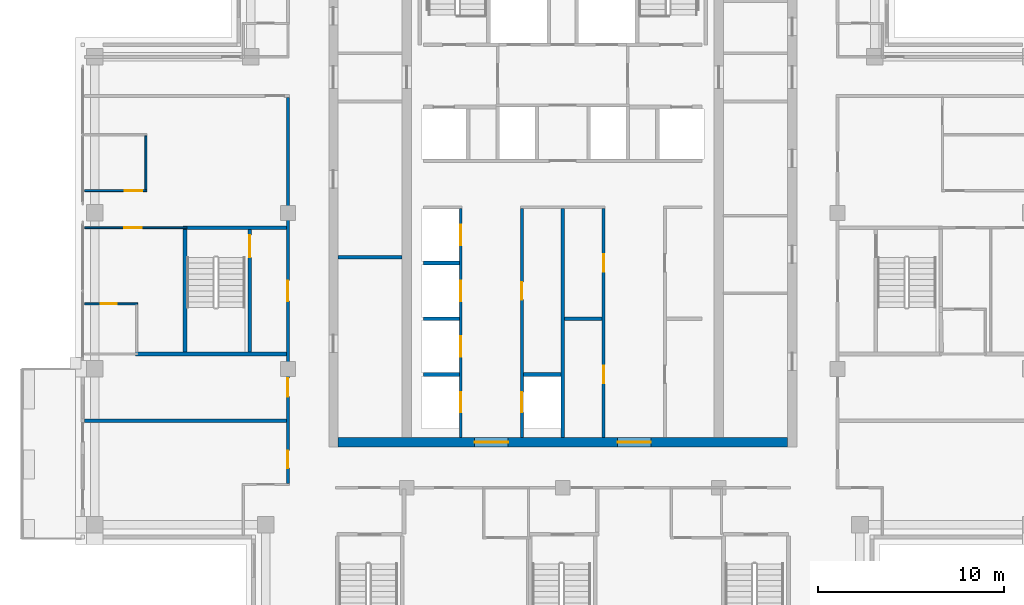
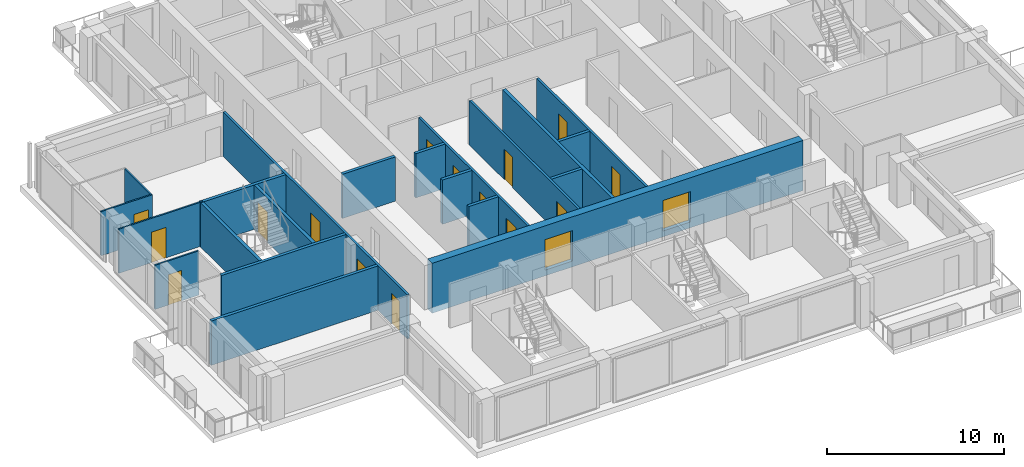
# One storey, part 10 of 19: 21 walls, 17 doors, 17 openings.
"""IFC4 building model written with IfcOpenShell, lengths in metres."""

from ifc_helpers import new_model, si_unit, direction, frame, frame_2d, origin, place, context, subcontext, project, spatial, rectangle, extrude, material, layer, layer_set, type_object, element, fill, save


model = new_model("IFC4")

# Units and contexts
model_context = context("Model", 3, precision=1e-05, world=origin(), true_north=direction((0.0, 1.0)))
body_context = subcontext(model_context, "Body", "Model", "MODEL_VIEW")
ifc_project = project(units=[si_unit("LENGTHUNIT", "METRE"), si_unit("AREAUNIT", "SQUARE_METRE"), si_unit("VOLUMEUNIT", "CUBIC_METRE"), si_unit("PLANEANGLEUNIT", "RADIAN"), si_unit("MASSUNIT", "GRAM", prefix="KILO")], contexts=[model_context])

# Site, building, storey
site_placement = place(None, origin())
site = spatial("IfcSite", under=ifc_project, at=site_placement, CompositionType="ELEMENT")
building_placement = place(site_placement, origin())
building = spatial("IfcBuilding", under=site, at=building_placement, Name="Vermilion Ogive Tower", CompositionType="ELEMENT")
storey_placement = place(building_placement, frame((0.0, 0.0, 226.89990234375)))
storey = spatial("IfcBuildingStorey", under=building, at=storey_placement, Name="L59", CompositionType="ELEMENT", Elevation=226.89990234375)

# Wall, openings, doors
ifc_material_1 = material(Name="Concrete B60", Category="concrete")
ifc_layer_1 = layer(ifc_material_1, 0.5)
ifc_layer_set_1 = layer_set([ifc_layer_1], Name="Core wall 500 B60")
wall_type_1 = type_object("IfcWallType", Name="Core wall 500 B60", PredefinedType="SHEAR", material=ifc_layer_set_1)
wall_1_placement = place(storey_placement, frame((-12.10009765625, -8.14990234375, -0.39990234375), z_axis=(0.0, 0.0, 1.0), x_axis=(1.0, 0.0, 0.0)))
wall_1 = element("IfcWall", 1, at=wall_1_placement, inside=storey, type_object=wall_type_1, Name="L59-CORE-S", PredefinedType="SHEAR", context=body_context, shape_type="SweptSolid", body=[
    extrude(rectangle(XDim=24.2001953125, YDim=0.5, at=frame_2d((12.10009765625, 0.0))), origin(), (0.0, 0.0, 1.0), 3.449951171875),
])
opening_1_placement = place(wall_1_placement, frame((7.35009765625, 0.0, 0.39990234375)))
opening_1 = element("IfcOpeningElement", 2, at=opening_1_placement, cuts=wall_1, Name="Opening DAH047", PredefinedType="OPENING", context=body_context, shape_type="SweptSolid", body=[
    extrude(rectangle(XDim=1.800048828125, YDim=2.10009765625, at=frame_2d((0.89990234375, 1.050048828125))), frame((0.0, 0.260009765625, 0.0), z_axis=(0.0, -1.0, 0.0), x_axis=(1.0, 0.0, 0.0)), (0.0, 0.0, 1.0), 0.52001953125),
])
opening_2_placement = place(wall_1_placement, frame((15.050048828125, 0.0, 0.39990234375)))
opening_2 = element("IfcOpeningElement", 3, at=opening_2_placement, cuts=wall_1, Name="Opening DAH048", PredefinedType="OPENING", context=body_context, shape_type="SweptSolid", body=[
    extrude(rectangle(XDim=1.800048828125, YDim=2.10009765625, at=frame_2d((0.89990234375, 1.050048828125))), frame((0.0, 0.260009765625, 0.0), z_axis=(0.0, -1.0, 0.0), x_axis=(1.0, 0.0, 0.0)), (0.0, 0.0, 1.0), 0.52001953125),
])
ifc_material_2 = material(Name="Timber door leaf", Category="wood")
door_type_1 = type_object("IfcDoorType", Name="Core entry door 1800 x 2100 FD60S", OperationType="DOUBLE_DOOR_SINGLE_SWING", PredefinedType="DOOR", material=ifc_material_2)
door_1_placement = place(opening_1_placement, origin())
door_1 = element("IfcDoor", 4, at=door_1_placement, inside=storey, type_object=door_type_1, Name="L59-CK-XD1", OperationType="SINGLE_SWING_LEFT", OverallHeight=2.10009765625, OverallWidth=1.800048828125, PredefinedType="DOOR", context=body_context, shape_type="SweptSolid", body=[
    extrude(rectangle(XDim=1.800048828125, YDim=2.10009765625, at=frame_2d((0.89990234375, 1.050048828125))), frame((0.0, 0.02490234375, 0.0), z_axis=(0.0, -1.0, 0.0), x_axis=(1.0, 0.0, 0.0)), (0.0, 0.0, 1.0), 0.050048828125),
])
fill(opening_1, door_1)
door_2_placement = place(opening_2_placement, origin())
door_2 = element("IfcDoor", 5, at=door_2_placement, inside=storey, type_object=door_type_1, Name="L59-CK-XD2", OperationType="SINGLE_SWING_LEFT", OverallHeight=2.10009765625, OverallWidth=1.800048828125, PredefinedType="DOOR", context=body_context, shape_type="SweptSolid", body=[
    extrude(rectangle(XDim=1.800048828125, YDim=2.10009765625, at=frame_2d((0.89990234375, 1.050048828125))), frame((0.0, 0.02490234375, 0.0), z_axis=(0.0, -1.0, 0.0), x_axis=(1.0, 0.0, 0.0)), (0.0, 0.0, 1.0), 0.050048828125),
])
fill(opening_2, door_2)

# Wall, opening, door
ifc_material_3 = material(Name="Gypsum board partition on steel studs", Category="steel")
ifc_layer_2 = layer(ifc_material_3, 0.10009765625)
ifc_layer_set_2 = layer_set([ifc_layer_2], Name="Partition 100 bath")
wall_type_2 = type_object("IfcWallType", Name="Partition 100 bath", PredefinedType="PARTITIONING", material=ifc_layer_set_2)
wall_2_placement = place(storey_placement, frame((-25.75, -0.699951171875, 0.0), z_axis=(0.0, 0.0, 1.0), x_axis=(1.0, 0.0, 0.0)))
wall_2 = element("IfcWall", 6, at=wall_2_placement, inside=storey, type_object=wall_type_2, Name="L59-W-W022", PredefinedType="PARTITIONING", context=body_context, shape_type="SweptSolid", body=[
    extrude(rectangle(XDim=2.85009765625, YDim=0.10009765625, at=frame_2d((1.425048828125, 0.0))), origin(), (0.0, 0.0, 1.0), 3.050048828125),
])
opening_3_placement = place(wall_2_placement, frame((0.875, 0.0, 0.0)))
opening_3 = element("IfcOpeningElement", 7, at=opening_3_placement, cuts=wall_2, Name="Opening D5G1006", PredefinedType="OPENING", context=body_context, shape_type="SweptSolid", body=[
    extrude(rectangle(XDim=0.85009765625, YDim=2.10009765625, at=frame_2d((0.425048828125, 1.050048828125))), frame((0.0, 0.06005859375, 0.0), z_axis=(0.0, -1.0, 0.0), x_axis=(1.0, 0.0, 0.0)), (0.0, 0.0, 1.0), 0.1201171875),
])
ifc_material_4 = material(Name="Timber door leaf", Category="wood")
door_type_2 = type_object("IfcDoorType", Name="Bath door 850 x 2100 FD30", OperationType="SINGLE_SWING_LEFT", PredefinedType="DOOR", material=ifc_material_4)
door_3_placement = place(opening_3_placement, origin())
door_3 = element("IfcDoor", 8, at=door_3_placement, inside=storey, type_object=door_type_2, Name="L59-D-D006", OperationType="SINGLE_SWING_RIGHT", OverallHeight=2.10009765625, OverallWidth=0.85009765625, PredefinedType="DOOR", context=body_context, shape_type="SweptSolid", body=[
    extrude(rectangle(XDim=0.85009765625, YDim=2.10009765625, at=frame_2d((0.425048828125, 1.050048828125))), frame((0.0, 0.02490234375, 0.0), z_axis=(0.0, -1.0, 0.0), x_axis=(1.0, 0.0, 0.0)), (0.0, 0.0, 1.0), 0.050048828125),
])
fill(opening_3, door_3)

ifc_material_5 = material(Name="Gypsum board partition on steel studs", Category="steel")
ifc_layer_3 = layer(ifc_material_5, 0.10009765625)
ifc_layer_set_3 = layer_set([ifc_layer_3], Name="Partition 100 inner")
wall_type_3 = type_object("IfcWallType", Name="Partition 100 inner", PredefinedType="PARTITIONING", material=ifc_layer_set_3)
wall_3_placement = place(storey_placement, frame((-25.75, 3.39990234375, 0.0), z_axis=(0.0, 0.0, 1.0), x_axis=(1.0, 0.0, 0.0)))
wall_3 = element("IfcWall", 9, at=wall_3_placement, inside=storey, type_object=wall_type_3, Name="L59-W-W023", PredefinedType="PARTITIONING", context=body_context, shape_type="SweptSolid", body=[
    extrude(rectangle(XDim=5.5, YDim=0.10009765625, at=frame_2d((2.75, 0.0))), origin(), (0.0, 0.0, 1.0), 3.050048828125),
])
opening_4_placement = place(wall_3_placement, frame((2.125, 0.0, 0.0)))
opening_4 = element("IfcOpeningElement", 10, at=opening_4_placement, cuts=wall_3, Name="Opening D5G1005", PredefinedType="OPENING", context=body_context, shape_type="SweptSolid", body=[
    extrude(rectangle(XDim=0.949951171875, YDim=2.10009765625, at=frame_2d((0.47509765625, 1.050048828125))), frame((0.0, 0.06005859375, 0.0), z_axis=(0.0, -1.0, 0.0), x_axis=(1.0, 0.0, 0.0)), (0.0, 0.0, 1.0), 0.1201171875),
])
ifc_material_6 = material(Name="Timber door leaf", Category="wood")
door_type_3 = type_object("IfcDoorType", Name="Inner door 950 x 2100 FD30", OperationType="SINGLE_SWING_LEFT", PredefinedType="DOOR", material=ifc_material_6)
door_4_placement = place(opening_4_placement, origin())
door_4 = element("IfcDoor", 11, at=door_4_placement, inside=storey, type_object=door_type_3, Name="L59-D-D005", OperationType="SINGLE_SWING_LEFT", OverallHeight=2.10009765625, OverallWidth=0.949951171875, PredefinedType="DOOR", context=body_context, shape_type="SweptSolid", body=[
    extrude(rectangle(XDim=0.949951171875, YDim=2.10009765625, at=frame_2d((0.47509765625, 1.050048828125))), frame((0.0, 0.02490234375, 0.0), z_axis=(0.0, -1.0, 0.0), x_axis=(1.0, 0.0, 0.0)), (0.0, 0.0, 1.0), 0.050048828125),
])
fill(opening_4, door_4)

wall_4_placement = place(storey_placement, frame((-25.75, 5.39990234375, 0.0), z_axis=(0.0, 0.0, 1.0), x_axis=(1.0, 0.0, 0.0)))
wall_4 = element("IfcWall", 12, at=wall_4_placement, inside=storey, type_object=wall_type_3, Name="L59-W-W027", PredefinedType="PARTITIONING", context=body_context, shape_type="SweptSolid", body=[
    extrude(rectangle(XDim=3.35009765625, YDim=0.10009765625, at=frame_2d((1.675048828125, 0.0))), origin(), (0.0, 0.0, 1.0), 3.050048828125),
])
opening_5_placement = place(wall_4_placement, frame((2.14990234375, 0.0, 0.0)))
opening_5 = element("IfcOpeningElement", 13, at=opening_5_placement, cuts=wall_4, Name="Opening D5G1003", PredefinedType="OPENING", context=body_context, shape_type="SweptSolid", body=[
    extrude(rectangle(XDim=0.949951171875, YDim=2.10009765625, at=frame_2d((0.47509765625, 1.050048828125))), frame((0.0, 0.06005859375, 0.0), z_axis=(0.0, -1.0, 0.0), x_axis=(1.0, 0.0, 0.0)), (0.0, 0.0, 1.0), 0.1201171875),
])
door_5_placement = place(opening_5_placement, origin())
door_5 = element("IfcDoor", 14, at=door_5_placement, inside=storey, type_object=door_type_3, Name="L59-D-D003", OperationType="SINGLE_SWING_RIGHT", OverallHeight=2.10009765625, OverallWidth=0.949951171875, PredefinedType="DOOR", context=body_context, shape_type="SweptSolid", body=[
    extrude(rectangle(XDim=0.949951171875, YDim=2.10009765625, at=frame_2d((0.47509765625, 1.050048828125))), frame((0.0, 0.02490234375, 0.0), z_axis=(0.0, -1.0, 0.0), x_axis=(1.0, 0.0, 0.0)), (0.0, 0.0, 1.0), 0.050048828125),
])
fill(opening_5, door_5)

# Wall
wall_5_placement = place(storey_placement, frame((-22.449951171875, 5.449951171875, 0.0), z_axis=(0.0, 0.0, 1.0), x_axis=(0.0, 1.0, 0.0)))
element("IfcWall", 15, at=wall_5_placement, inside=storey, type_object=wall_type_3, Name="L59-W-W040", PredefinedType="PARTITIONING", context=body_context, shape_type="SweptSolid", body=[
    extrude(rectangle(XDim=2.900146484375, YDim=0.10009765625, at=frame_2d((1.4501953125, 0.0))), origin(), (0.0, 0.0, 1.0), 3.050048828125),
])

# Wall, openings, doors
ifc_material_7 = material(Name="Gypsum board partition on steel studs", Category="steel")
ifc_layer_4 = layer(ifc_material_7, 0.14990234375)
ifc_layer_set_4 = layer_set([ifc_layer_4], Name="Partition 150 corridor")
wall_type_4 = type_object("IfcWallType", Name="Partition 150 corridor", PredefinedType="PARTITIONING", material=ifc_layer_set_4)
wall_6_placement = place(storey_placement, frame((-14.800048828125, -10.3798828125, 0.0), z_axis=(0.0, 0.0, 1.0), x_axis=(0.0, 1.0, 0.0)))
wall_6 = element("IfcWall", 16, at=wall_6_placement, inside=storey, type_object=wall_type_4, Name="L59-W-W045", PredefinedType="PARTITIONING", context=body_context, shape_type="SweptSolid", body=[
    extrude(rectangle(XDim=20.804931640625, YDim=0.14990234375, at=frame_2d((10.40234375, 0.0))), origin(), (0.0, 0.0, 1.0), 3.050048828125),
])
opening_6_placement = place(wall_6_placement, frame((0.829833984375, 0.0, 0.0)))
opening_6 = element("IfcOpeningElement", 17, at=opening_6_placement, cuts=wall_6, Name="Opening D5G1001", PredefinedType="OPENING", context=body_context, shape_type="SweptSolid", body=[
    extrude(rectangle(XDim=0.949951171875, YDim=2.10009765625, at=frame_2d((0.47509765625, 1.050048828125))), frame((0.0, 0.0849609375, 0.0), z_axis=(0.0, -1.0, 0.0), x_axis=(1.0, 0.0, 0.0)), (0.0, 0.0, 1.0), 0.169921875),
])
opening_7_placement = place(wall_6_placement, frame((9.829833984375, 0.0, 0.0)))
opening_7 = element("IfcOpeningElement", 18, at=opening_7_placement, cuts=wall_6, Name="Opening D5G1031", PredefinedType="OPENING", context=body_context, shape_type="SweptSolid", body=[
    extrude(rectangle(XDim=1.10009765625, YDim=2.10009765625, at=frame_2d((0.550048828125, 1.050048828125))), frame((0.0, 0.0849609375, 0.0), z_axis=(0.0, -1.0, 0.0), x_axis=(1.0, 0.0, 0.0)), (0.0, 0.0, 1.0), 0.169921875),
])
opening_8_placement = place(wall_6_placement, frame((4.679931640625, 0.0, 0.0)))
opening_8 = element("IfcOpeningElement", 19, at=opening_8_placement, cuts=wall_6, Name="Opening D5G1033", PredefinedType="OPENING", context=body_context, shape_type="SweptSolid", body=[
    extrude(rectangle(XDim=1.0, YDim=2.10009765625, at=frame_2d((0.5, 1.050048828125))), frame((0.0, 0.0849609375, 0.0), z_axis=(0.0, -1.0, 0.0), x_axis=(1.0, 0.0, 0.0)), (0.0, 0.0, 1.0), 0.169921875),
])
ifc_material_8 = material(Name="Timber door leaf", Category="wood")
door_type_4 = type_object("IfcDoorType", Name="Stair door 1100 x 2100 FD60S", OperationType="SINGLE_SWING_LEFT", PredefinedType="DOOR", material=ifc_material_8)
door_6_placement = place(opening_7_placement, origin())
door_6 = element("IfcDoor", 20, at=door_6_placement, inside=storey, type_object=door_type_4, Name="L59-D-D031", OperationType="SINGLE_SWING_RIGHT", OverallHeight=2.10009765625, OverallWidth=1.10009765625, PredefinedType="DOOR", context=body_context, shape_type="SweptSolid", body=[
    extrude(rectangle(XDim=1.10009765625, YDim=2.10009765625, at=frame_2d((0.550048828125, 1.050048828125))), frame((0.0, 0.02490234375, 0.0), z_axis=(0.0, -1.0, 0.0), x_axis=(1.0, 0.0, 0.0)), (0.0, 0.0, 1.0), 0.050048828125),
])
fill(opening_7, door_6)
ifc_material_9 = material(Name="Timber door leaf", Category="wood")
door_type_5 = type_object("IfcDoorType", Name="Unit door 1000 x 2100 FD30S", OperationType="SINGLE_SWING_LEFT", PredefinedType="DOOR", material=ifc_material_9)
door_7_placement = place(opening_8_placement, origin())
door_7 = element("IfcDoor", 21, at=door_7_placement, inside=storey, type_object=door_type_5, Name="L59-D-D033", OperationType="SINGLE_SWING_LEFT", OverallHeight=2.10009765625, OverallWidth=1.0, PredefinedType="DOOR", context=body_context, shape_type="SweptSolid", body=[
    extrude(rectangle(XDim=1.0, YDim=2.10009765625, at=frame_2d((0.5, 1.050048828125))), frame((0.0, 0.02490234375, 0.0), z_axis=(0.0, -1.0, 0.0), x_axis=(1.0, 0.0, 0.0)), (0.0, 0.0, 1.0), 0.050048828125),
])
fill(opening_8, door_7)
ifc_material_10 = material(Name="Timber door leaf", Category="wood")
door_type_6 = type_object("IfcDoorType", Name="Unit door 950 x 2100 FD30S", OperationType="SINGLE_SWING_LEFT", PredefinedType="DOOR", material=ifc_material_10)
door_8_placement = place(opening_6_placement, origin())
door_8 = element("IfcDoor", 22, at=door_8_placement, inside=storey, type_object=door_type_6, Name="L59-D-D001", OperationType="SINGLE_SWING_LEFT", OverallHeight=2.10009765625, OverallWidth=0.949951171875, PredefinedType="DOOR", context=body_context, shape_type="SweptSolid", body=[
    extrude(rectangle(XDim=0.949951171875, YDim=2.10009765625, at=frame_2d((0.47509765625, 1.050048828125))), frame((0.0, 0.02490234375, 0.0), z_axis=(0.0, -1.0, 0.0), x_axis=(1.0, 0.0, 0.0)), (0.0, 0.0, 1.0), 0.050048828125),
])
fill(opening_6, door_8)

wall_7_placement = place(storey_placement, frame((-5.5, -7.89892578125, 0.0), z_axis=(0.0, 0.0, 1.0), x_axis=(0.0, 1.0, 0.0)))
wall_7 = element("IfcWall", 23, at=wall_7_placement, inside=storey, type_object=wall_type_4, Name="L59-CK-W-W019", PredefinedType="PARTITIONING", context=body_context, shape_type="SweptSolid", body=[
    extrude(rectangle(XDim=12.323974609375, YDim=0.14990234375, at=frame_2d((6.162109375, 0.0))), origin(), (0.0, 0.0, 1.0), 3.050048828125),
])
opening_9_placement = place(wall_7_placement, frame((1.348876953125, 0.0, 0.0)))
opening_9 = element("IfcOpeningElement", 24, at=opening_9_placement, cuts=wall_7, Name="Opening DAA552", PredefinedType="OPENING", context=body_context, shape_type="SweptSolid", body=[
    extrude(rectangle(XDim=1.10009765625, YDim=2.10009765625, at=frame_2d((0.550048828125, 1.050048828125))), frame((0.0, 0.0849609375, 0.0), z_axis=(0.0, -1.0, 0.0), x_axis=(1.0, 0.0, 0.0)), (0.0, 0.0, 1.0), 0.169921875),
])
opening_10_placement = place(wall_7_placement, frame((4.348876953125, 0.0, 0.0)))
opening_10 = element("IfcOpeningElement", 25, at=opening_10_placement, cuts=wall_7, Name="Opening DAA553", PredefinedType="OPENING", context=body_context, shape_type="SweptSolid", body=[
    extrude(rectangle(XDim=1.10009765625, YDim=2.10009765625, at=frame_2d((0.550048828125, 1.050048828125))), frame((0.0, 0.0849609375, 0.0), z_axis=(0.0, -1.0, 0.0), x_axis=(1.0, 0.0, 0.0)), (0.0, 0.0, 1.0), 0.169921875),
])
opening_11_placement = place(wall_7_placement, frame((7.348876953125, 0.0, 0.0)))
opening_11 = element("IfcOpeningElement", 26, at=opening_11_placement, cuts=wall_7, Name="Opening DAA554", PredefinedType="OPENING", context=body_context, shape_type="SweptSolid", body=[
    extrude(rectangle(XDim=1.10009765625, YDim=2.10009765625, at=frame_2d((0.550048828125, 1.050048828125))), frame((0.0, 0.0849609375, 0.0), z_axis=(0.0, -1.0, 0.0), x_axis=(1.0, 0.0, 0.0)), (0.0, 0.0, 1.0), 0.169921875),
])
opening_12_placement = place(wall_7_placement, frame((10.348876953125, 0.0, 0.0)))
opening_12 = element("IfcOpeningElement", 27, at=opening_12_placement, cuts=wall_7, Name="Opening DAA555", PredefinedType="OPENING", context=body_context, shape_type="SweptSolid", body=[
    extrude(rectangle(XDim=1.10009765625, YDim=2.10009765625, at=frame_2d((0.550048828125, 1.050048828125))), frame((0.0, 0.0849609375, 0.0), z_axis=(0.0, -1.0, 0.0), x_axis=(1.0, 0.0, 0.0)), (0.0, 0.0, 1.0), 0.169921875),
])
ifc_material_11 = material(Name="Stainless steel", Category="steel")
door_type_7 = type_object("IfcDoorType", Name="Lift landing door 1100 x 2100", OperationType="SLIDING_TO_LEFT", PredefinedType="DOOR", material=ifc_material_11)
door_9_placement = place(opening_9_placement, origin())
door_9 = element("IfcDoor", 28, at=door_9_placement, inside=storey, type_object=door_type_7, Name="L59-CK-D-D001", OperationType="SLIDING_TO_LEFT", OverallHeight=2.10009765625, OverallWidth=1.10009765625, PredefinedType="DOOR", context=body_context, shape_type="SweptSolid", body=[
    extrude(rectangle(XDim=1.10009765625, YDim=2.10009765625, at=frame_2d((0.550048828125, 1.050048828125))), frame((0.0, 0.02490234375, 0.0), z_axis=(0.0, -1.0, 0.0), x_axis=(1.0, 0.0, 0.0)), (0.0, 0.0, 1.0), 0.050048828125),
])
fill(opening_9, door_9)
door_10_placement = place(opening_10_placement, origin())
door_10 = element("IfcDoor", 29, at=door_10_placement, inside=storey, type_object=door_type_7, Name="L59-CK-D-D002", OperationType="SLIDING_TO_LEFT", OverallHeight=2.10009765625, OverallWidth=1.10009765625, PredefinedType="DOOR", context=body_context, shape_type="SweptSolid", body=[
    extrude(rectangle(XDim=1.10009765625, YDim=2.10009765625, at=frame_2d((0.550048828125, 1.050048828125))), frame((0.0, 0.02490234375, 0.0), z_axis=(0.0, -1.0, 0.0), x_axis=(1.0, 0.0, 0.0)), (0.0, 0.0, 1.0), 0.050048828125),
])
fill(opening_10, door_10)
door_11_placement = place(opening_11_placement, origin())
door_11 = element("IfcDoor", 30, at=door_11_placement, inside=storey, type_object=door_type_7, Name="L59-CK-D-D003", OperationType="SLIDING_TO_LEFT", OverallHeight=2.10009765625, OverallWidth=1.10009765625, PredefinedType="DOOR", context=body_context, shape_type="SweptSolid", body=[
    extrude(rectangle(XDim=1.10009765625, YDim=2.10009765625, at=frame_2d((0.550048828125, 1.050048828125))), frame((0.0, 0.02490234375, 0.0), z_axis=(0.0, -1.0, 0.0), x_axis=(1.0, 0.0, 0.0)), (0.0, 0.0, 1.0), 0.050048828125),
])
fill(opening_11, door_11)
door_12_placement = place(opening_12_placement, origin())
door_12 = element("IfcDoor", 31, at=door_12_placement, inside=storey, type_object=door_type_7, Name="L59-CK-D-D004", OperationType="SLIDING_TO_LEFT", OverallHeight=2.10009765625, OverallWidth=1.10009765625, PredefinedType="DOOR", context=body_context, shape_type="SweptSolid", body=[
    extrude(rectangle(XDim=1.10009765625, YDim=2.10009765625, at=frame_2d((0.550048828125, 1.050048828125))), frame((0.0, 0.02490234375, 0.0), z_axis=(0.0, -1.0, 0.0), x_axis=(1.0, 0.0, 0.0)), (0.0, 0.0, 1.0), 0.050048828125),
])
fill(opening_12, door_12)

wall_8_placement = place(storey_placement, frame((-2.199951171875, -7.89892578125, 0.0), z_axis=(0.0, 0.0, 1.0), x_axis=(0.0, 1.0, 0.0)))
wall_8 = element("IfcWall", 32, at=wall_8_placement, inside=storey, type_object=wall_type_4, Name="L59-CK-W-W024", PredefinedType="PARTITIONING", context=body_context, shape_type="SweptSolid", body=[
    extrude(rectangle(XDim=12.323974609375, YDim=0.14990234375, at=frame_2d((6.162109375, 0.0))), origin(), (0.0, 0.0, 1.0), 3.050048828125),
])
opening_13_placement = place(wall_8_placement, frame((1.348876953125, 0.0, 0.0)))
opening_13 = element("IfcOpeningElement", 33, at=opening_13_placement, cuts=wall_8, Name="Opening DAA556", PredefinedType="OPENING", context=body_context, shape_type="SweptSolid", body=[
    extrude(rectangle(XDim=1.10009765625, YDim=2.10009765625, at=frame_2d((0.550048828125, 1.050048828125))), frame((0.0, 0.0849609375, 0.0), z_axis=(0.0, -1.0, 0.0), x_axis=(1.0, 0.0, 0.0)), (0.0, 0.0, 1.0), 0.169921875),
])
opening_14_placement = place(wall_8_placement, frame((7.423828125, 0.0, 0.0)))
opening_14 = element("IfcOpeningElement", 34, at=opening_14_placement, cuts=wall_8, Name="Opening DAA543", PredefinedType="OPENING", context=body_context, shape_type="SweptSolid", body=[
    extrude(rectangle(XDim=0.949951171875, YDim=2.10009765625, at=frame_2d((0.47509765625, 1.050048828125))), frame((0.0, 0.0849609375, 0.0), z_axis=(0.0, -1.0, 0.0), x_axis=(1.0, 0.0, 0.0)), (0.0, 0.0, 1.0), 0.169921875),
])
door_13_placement = place(opening_13_placement, origin())
door_13 = element("IfcDoor", 35, at=door_13_placement, inside=storey, type_object=door_type_7, Name="L59-CK-D-D005", OperationType="SLIDING_TO_LEFT", OverallHeight=2.10009765625, OverallWidth=1.10009765625, PredefinedType="DOOR", context=body_context, shape_type="SweptSolid", body=[
    extrude(rectangle(XDim=1.10009765625, YDim=2.10009765625, at=frame_2d((0.550048828125, 1.050048828125))), frame((0.0, 0.02490234375, 0.0), z_axis=(0.0, -1.0, 0.0), x_axis=(1.0, 0.0, 0.0)), (0.0, 0.0, 1.0), 0.050048828125),
])
fill(opening_13, door_13)
ifc_material_12 = material(Name="Timber door leaf", Category="wood")
door_type_8 = type_object("IfcDoorType", Name="Service door 950 x 2100 FD60", OperationType="SINGLE_SWING_LEFT", PredefinedType="DOOR", material=ifc_material_12)
door_14_placement = place(opening_14_placement, origin())
door_14 = element("IfcDoor", 36, at=door_14_placement, inside=storey, type_object=door_type_8, Name="L59-CK-D-D006", OperationType="SINGLE_SWING_RIGHT", OverallHeight=2.10009765625, OverallWidth=0.949951171875, PredefinedType="DOOR", context=body_context, shape_type="SweptSolid", body=[
    extrude(rectangle(XDim=0.949951171875, YDim=2.10009765625, at=frame_2d((0.47509765625, 1.050048828125))), frame((0.0, 0.02490234375, 0.0), z_axis=(0.0, -1.0, 0.0), x_axis=(1.0, 0.0, 0.0)), (0.0, 0.0, 1.0), 0.050048828125),
])
fill(opening_14, door_14)

wall_9_placement = place(storey_placement, frame((2.199951171875, -7.89892578125, 0.0), z_axis=(0.0, 0.0, 1.0), x_axis=(0.0, 1.0, 0.0)))
wall_9 = element("IfcWall", 37, at=wall_9_placement, inside=storey, type_object=wall_type_4, Name="L59-CK-W-W031", PredefinedType="PARTITIONING", context=body_context, shape_type="SweptSolid", body=[
    extrude(rectangle(XDim=12.323974609375, YDim=0.14990234375, at=frame_2d((6.162109375, 0.0))), origin(), (0.0, 0.0, 1.0), 3.050048828125),
])
opening_15_placement = place(wall_9_placement, frame((2.923828125, 0.0, 0.0)))
opening_15 = element("IfcOpeningElement", 38, at=opening_15_placement, cuts=wall_9, Name="Opening DAA544", PredefinedType="OPENING", context=body_context, shape_type="SweptSolid", body=[
    extrude(rectangle(XDim=0.949951171875, YDim=2.10009765625, at=frame_2d((0.47509765625, 1.050048828125))), frame((0.0, 0.0849609375, 0.0), z_axis=(0.0, -1.0, 0.0), x_axis=(1.0, 0.0, 0.0)), (0.0, 0.0, 1.0), 0.169921875),
])
opening_16_placement = place(wall_9_placement, frame((8.923828125, 0.0, 0.0)))
opening_16 = element("IfcOpeningElement", 39, at=opening_16_placement, cuts=wall_9, Name="Opening DAA545", PredefinedType="OPENING", context=body_context, shape_type="SweptSolid", body=[
    extrude(rectangle(XDim=0.949951171875, YDim=2.10009765625, at=frame_2d((0.47509765625, 1.050048828125))), frame((0.0, 0.0849609375, 0.0), z_axis=(0.0, -1.0, 0.0), x_axis=(1.0, 0.0, 0.0)), (0.0, 0.0, 1.0), 0.169921875),
])
door_15_placement = place(opening_15_placement, origin())
door_15 = element("IfcDoor", 40, at=door_15_placement, inside=storey, type_object=door_type_8, Name="L59-CK-D-D007", OperationType="SINGLE_SWING_RIGHT", OverallHeight=2.10009765625, OverallWidth=0.949951171875, PredefinedType="DOOR", context=body_context, shape_type="SweptSolid", body=[
    extrude(rectangle(XDim=0.949951171875, YDim=2.10009765625, at=frame_2d((0.47509765625, 1.050048828125))), frame((0.0, 0.02490234375, 0.0), z_axis=(0.0, -1.0, 0.0), x_axis=(1.0, 0.0, 0.0)), (0.0, 0.0, 1.0), 0.050048828125),
])
fill(opening_15, door_15)
door_16_placement = place(opening_16_placement, origin())
door_16 = element("IfcDoor", 41, at=door_16_placement, inside=storey, type_object=door_type_8, Name="L59-CK-D-D008", OperationType="SINGLE_SWING_RIGHT", OverallHeight=2.10009765625, OverallWidth=0.949951171875, PredefinedType="DOOR", context=body_context, shape_type="SweptSolid", body=[
    extrude(rectangle(XDim=0.949951171875, YDim=2.10009765625, at=frame_2d((0.47509765625, 1.050048828125))), frame((0.0, 0.02490234375, 0.0), z_axis=(0.0, -1.0, 0.0), x_axis=(1.0, 0.0, 0.0)), (0.0, 0.0, 1.0), 0.050048828125),
])
fill(opening_16, door_16)

# Walls
ifc_material_13 = material(Name="Gypsum board partition on steel studs", Category="steel")
ifc_layer_5 = layer(ifc_material_13, 0.199951171875)
ifc_layer_set_5 = layer_set([ifc_layer_5], Name="Partition 200 party")
wall_type_5 = type_object("IfcWallType", Name="Partition 200 party", PredefinedType="PARTITIONING", material=ifc_layer_set_5)
wall_10_placement = place(storey_placement, frame((-25.75, -7.0, 0.0), z_axis=(0.0, 0.0, 1.0), x_axis=(1.0, 0.0, 0.0)))
element("IfcWall", 42, at=wall_10_placement, inside=storey, type_object=wall_type_5, Name="L59-W-W014", PredefinedType="PARTITIONING", context=body_context, shape_type="SweptSolid", body=[
    extrude(rectangle(XDim=10.875, YDim=0.199951171875, at=frame_2d((5.4375, 0.0))), origin(), (0.0, 0.0, 1.0), 3.050048828125),
])
wall_11_placement = place(storey_placement, frame((-7.5, -4.5, 0.0), z_axis=(0.0, 0.0, 1.0), x_axis=(1.0, 0.0, 0.0)))
element("IfcWall", 43, at=wall_11_placement, inside=storey, type_object=wall_type_5, Name="L59-CK-W-W001", PredefinedType="PARTITIONING", context=body_context, shape_type="SweptSolid", body=[
    extrude(rectangle(XDim=1.925048828125, YDim=0.199951171875, at=frame_2d((0.96240234375, 0.0))), origin(), (0.0, 0.0, 1.0), 3.050048828125),
])
wall_12_placement = place(storey_placement, frame((-2.125, -4.5, 0.0), z_axis=(0.0, 0.0, 1.0), x_axis=(1.0, 0.0, 0.0)))
element("IfcWall", 44, at=wall_12_placement, inside=storey, type_object=wall_type_5, Name="L59-CK-W-W002", PredefinedType="PARTITIONING", context=body_context, shape_type="SweptSolid", body=[
    extrude(rectangle(XDim=2.02490234375, YDim=0.199951171875, at=frame_2d((1.012451171875, 0.0))), origin(), (0.0, 0.0, 1.0), 3.050048828125),
])
wall_13_placement = place(storey_placement, frame((-7.5, -1.5, 0.0), z_axis=(0.0, 0.0, 1.0), x_axis=(1.0, 0.0, 0.0)))
element("IfcWall", 45, at=wall_13_placement, inside=storey, type_object=wall_type_5, Name="L59-CK-W-W003", PredefinedType="PARTITIONING", context=body_context, shape_type="SweptSolid", body=[
    extrude(rectangle(XDim=1.925048828125, YDim=0.199951171875, at=frame_2d((0.96240234375, 0.0))), origin(), (0.0, 0.0, 1.0), 3.050048828125),
])
wall_14_placement = place(storey_placement, frame((0.10009765625, -1.5, 0.0), z_axis=(0.0, 0.0, 1.0), x_axis=(1.0, 0.0, 0.0)))
element("IfcWall", 46, at=wall_14_placement, inside=storey, type_object=wall_type_5, Name="L59-CK-W-W004", PredefinedType="PARTITIONING", context=body_context, shape_type="SweptSolid", body=[
    extrude(rectangle(XDim=2.02490234375, YDim=0.199951171875, at=frame_2d((1.012451171875, 0.0))), origin(), (0.0, 0.0, 1.0), 3.050048828125),
])
wall_15_placement = place(storey_placement, frame((-7.5, 1.5, 0.0), z_axis=(0.0, 0.0, 1.0), x_axis=(1.0, 0.0, 0.0)))
element("IfcWall", 47, at=wall_15_placement, inside=storey, type_object=wall_type_5, Name="L59-CK-W-W006", PredefinedType="PARTITIONING", context=body_context, shape_type="SweptSolid", body=[
    extrude(rectangle(XDim=1.925048828125, YDim=0.199951171875, at=frame_2d((0.96240234375, 0.0))), origin(), (0.0, 0.0, 1.0), 3.050048828125),
])
wall_16_placement = place(storey_placement, frame((0.0, -7.89892578125, 0.0), z_axis=(0.0, 0.0, 1.0), x_axis=(0.0, 1.0, 0.0)))
element("IfcWall", 48, at=wall_16_placement, inside=storey, type_object=wall_type_5, Name="L59-CK-W-W027", PredefinedType="PARTITIONING", context=body_context, shape_type="SweptSolid", body=[
    extrude(rectangle(XDim=12.323974609375, YDim=0.199951171875, at=frame_2d((6.162109375, 0.0))), origin(), (0.0, 0.0, 1.0), 3.050048828125),
])
wall_17_placement = place(storey_placement, frame((-12.09912109375, 1.81591796875, 0.0), z_axis=(0.0, 0.0, 1.0), x_axis=(1.0, 0.0, 0.0)))
element("IfcWall", 49, at=wall_17_placement, inside=storey, type_object=wall_type_5, Name="L59-CKW-W-W001", PredefinedType="PARTITIONING", context=body_context, shape_type="SweptSolid", body=[
    extrude(rectangle(XDim=3.4482421875, YDim=0.199951171875, at=frame_2d((1.72412109375, 0.0))), origin(), (0.0, 0.0, 1.0), 3.050048828125),
])
ifc_material_14 = material(Name="Concrete B60", Category="concrete")
ifc_layer_6 = layer(ifc_material_14, 0.199951171875)
ifc_layer_set_6 = layer_set([ifc_layer_6], Name="Stair shaft wall 200 Concrete B60")
wall_type_6 = type_object("IfcWallType", Name="Stair shaft wall 200 Concrete B60", PredefinedType="SOLIDWALL", material=ifc_layer_set_6)
wall_18_placement = place(storey_placement, frame((-20.449951171875, 3.39990234375, 0.0), z_axis=(0.0, 0.0, 1.0), x_axis=(1.0, 0.0, 0.0)))
element("IfcWall", 50, at=wall_18_placement, inside=storey, type_object=wall_type_6, Name="L59-W-W024", PredefinedType="SOLIDWALL", context=body_context, shape_type="SweptSolid", body=[
    extrude(rectangle(XDim=5.574951171875, YDim=0.199951171875, at=frame_2d((2.78759765625, 0.0))), origin(), (0.0, 0.0, 1.0), 3.050048828125),
])
wall_19_placement = place(storey_placement, frame((-20.35009765625, -3.300048828125, 0.0), z_axis=(0.0, 0.0, 1.0), x_axis=(0.0, 1.0, 0.0)))
element("IfcWall", 51, at=wall_19_placement, inside=storey, type_object=wall_type_6, Name="L59-W-W041", PredefinedType="SOLIDWALL", context=body_context, shape_type="SweptSolid", body=[
    extrude(rectangle(XDim=6.60009765625, YDim=0.199951171875, at=frame_2d((3.300048828125, 0.0))), origin(), (0.0, 0.0, 1.0), 3.050048828125),
])

# Wall, opening, door
wall_20_placement = place(storey_placement, frame((-16.85009765625, -3.300048828125, 0.0), z_axis=(0.0, 0.0, 1.0), x_axis=(0.0, 1.0, 0.0)))
wall_20 = element("IfcWall", 52, at=wall_20_placement, inside=storey, type_object=wall_type_6, Name="L59-W-W044", PredefinedType="SOLIDWALL", context=body_context, shape_type="SweptSolid", body=[
    extrude(rectangle(XDim=6.60009765625, YDim=0.199951171875, at=frame_2d((3.300048828125, 0.0))), origin(), (0.0, 0.0, 1.0), 3.050048828125),
])
opening_17_placement = place(wall_20_placement, frame((5.10009765625, 0.0, 0.0)))
opening_17 = element("IfcOpeningElement", 53, at=opening_17_placement, cuts=wall_20, Name="Opening D5G1032", PredefinedType="OPENING", context=body_context, shape_type="SweptSolid", body=[
    extrude(rectangle(XDim=1.199951171875, YDim=2.10009765625, at=frame_2d((0.60009765625, 1.050048828125))), frame((0.0, 0.10986328125, 0.0), z_axis=(0.0, -1.0, 0.0), x_axis=(1.0, 0.0, 0.0)), (0.0, 0.0, 1.0), 0.219970703125),
])
ifc_material_15 = material(Name="Timber door leaf", Category="wood")
door_type_9 = type_object("IfcDoorType", Name="Stair door 1200 x 2100 FD60S", OperationType="SINGLE_SWING_LEFT", PredefinedType="DOOR", material=ifc_material_15)
door_17_placement = place(opening_17_placement, origin())
door_17 = element("IfcDoor", 54, at=door_17_placement, inside=storey, type_object=door_type_9, Name="L59-D-D032", OperationType="SINGLE_SWING_RIGHT", OverallHeight=2.10009765625, OverallWidth=1.199951171875, PredefinedType="DOOR", context=body_context, shape_type="SweptSolid", body=[
    extrude(rectangle(XDim=1.199951171875, YDim=2.10009765625, at=frame_2d((0.60009765625, 1.050048828125))), frame((0.0, 0.02490234375, 0.0), z_axis=(0.0, -1.0, 0.0), x_axis=(1.0, 0.0, 0.0)), (0.0, 0.0, 1.0), 0.050048828125),
])
fill(opening_17, door_17)

# Wall
wall_21_placement = place(storey_placement, frame((-23.0, -3.39990234375, 0.0), z_axis=(0.0, 0.0, 1.0), x_axis=(1.0, 0.0, 0.0)))
element("IfcWall", 55, at=wall_21_placement, inside=storey, type_object=wall_type_6, Name="L59-W-W017-A", PredefinedType="SOLIDWALL", context=body_context, shape_type="SweptSolid", body=[
    extrude(rectangle(XDim=8.123046875, YDim=0.199951171875, at=frame_2d((4.0615234375, 0.0))), origin(), (0.0, 0.0, 1.0), 3.050048828125),
])

save(model, "model.ifc")
